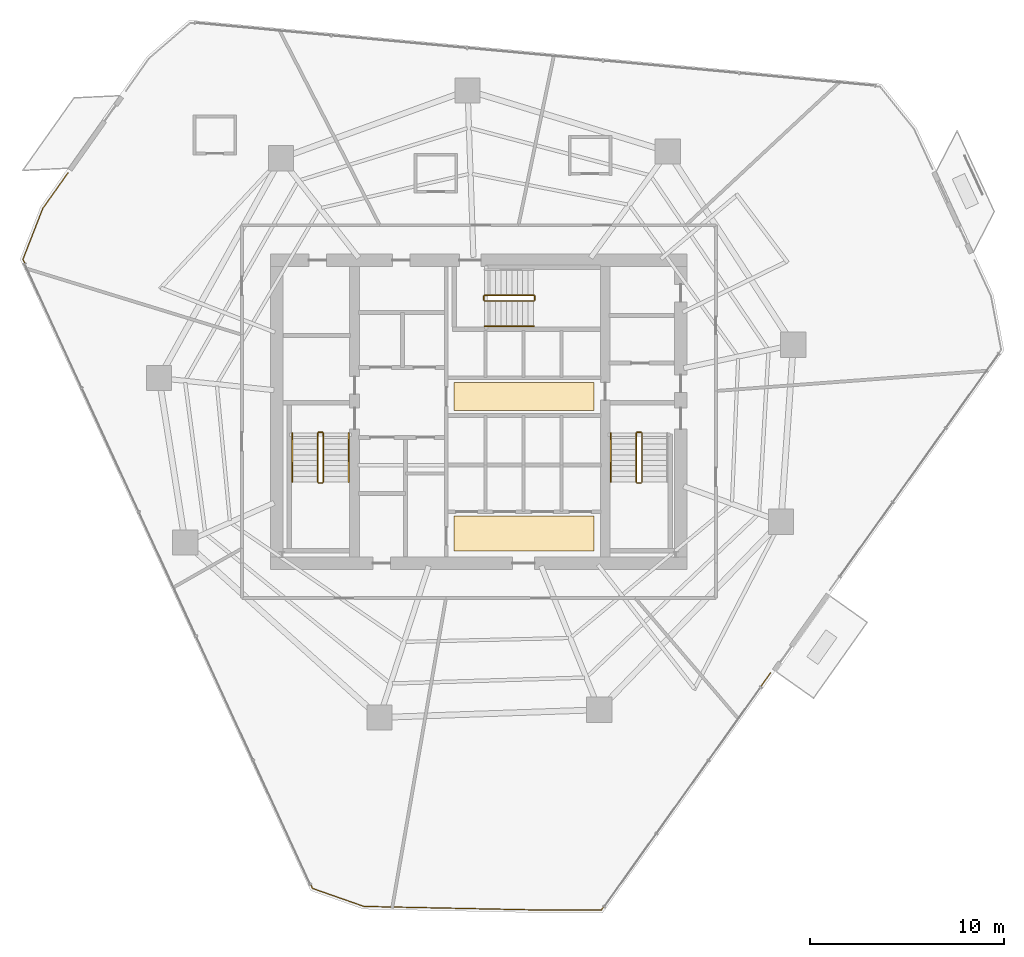
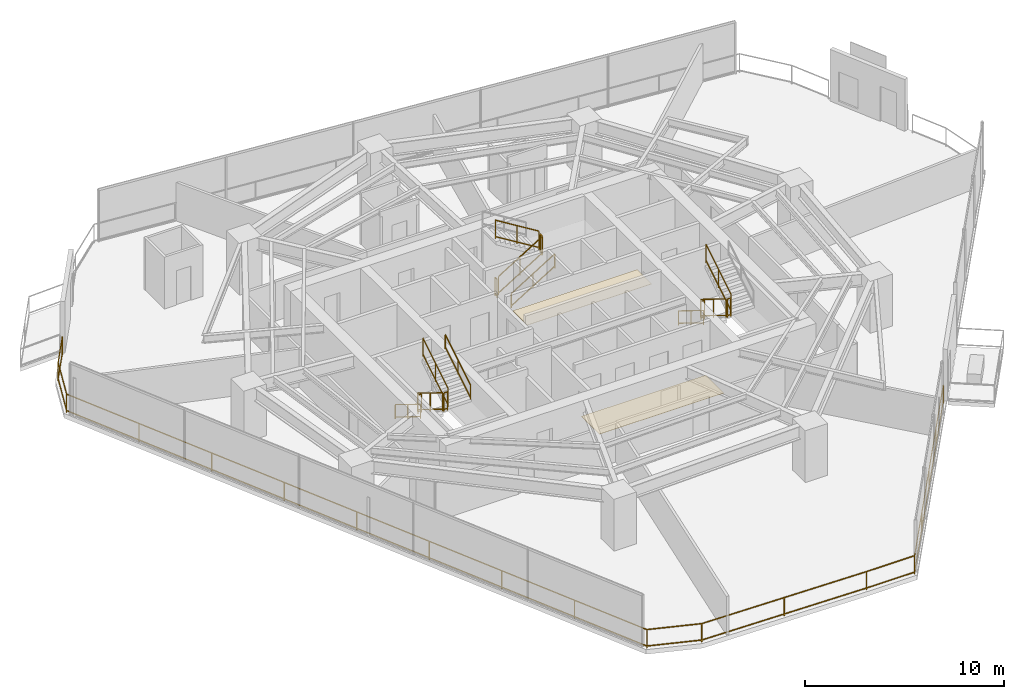
# One storey, part 29 of 30: 17 railings, 2 coverings.
"""IFC4 building model written with IfcOpenShell, lengths in metres."""

from ifc_helpers import new_model, si_unit, direction, frame, origin, origin_2d, place, context, subcontext, project, spatial, rectangle, extrude, material, layer, layer_set, type_object, element, save


model = new_model("IFC4")

# Units and contexts
model_context = context("Model", 3, precision=1e-05, world=origin(), true_north=direction((0.0, 1.0)))
body_context = subcontext(model_context, "Body", "Model", "MODEL_VIEW")
ifc_project = project(units=[si_unit("LENGTHUNIT", "METRE"), si_unit("AREAUNIT", "SQUARE_METRE"), si_unit("VOLUMEUNIT", "CUBIC_METRE"), si_unit("PLANEANGLEUNIT", "RADIAN"), si_unit("MASSUNIT", "GRAM", prefix="KILO")], contexts=[model_context])

# Site, building, storey
site_placement = place(None, origin())
site = spatial("IfcSite", under=ifc_project, at=site_placement, CompositionType="ELEMENT")
building_placement = place(site_placement, origin())
building = spatial("IfcBuilding", under=site, at=building_placement, Name="Qarnah Convention Tower", CompositionType="ELEMENT")
storey_placement = place(building_placement, frame((0.0, 0.0, 47.699951171875)))
storey = spatial("IfcBuildingStorey", under=building, at=storey_placement, Name="L11", CompositionType="ELEMENT", Elevation=47.699951171875)

# Coverings
ifc_material_1 = material(Name="Mineral fibre acoustic ceiling")
ifc_layer_1 = layer(ifc_material_1, 0.02001953125)
ifc_layer_set_1 = layer_set([ifc_layer_1], Name="Mineral fibre acoustic ceiling")
covering_type_1 = type_object("IfcCoveringType", Name="COV-CEIL-20", PredefinedType="CEILING", material=ifc_layer_set_1)
covering_1_placement = place(storey_placement, frame((39.52001953125, 27.179931640625, 2.2900390625), z_axis=(0.0, 0.0, 1.0), x_axis=(1.0, 0.0, 0.0)))
element("IfcCovering", 1, at=covering_1_placement, inside=storey, type_object=covering_type_1, Name="L11 lift lobby acoustic ceiling", PredefinedType="CEILING", context=body_context, shape_type="SweptSolid", body=[
    extrude(rectangle(XDim=7.199951171875, YDim=1.449951171875, at=origin_2d()), origin(), (0.0, 0.0, 1.0), 0.02001953125),
])
ifc_material_2 = material(Name="Porcelain stone floor tile", Category="masonry")
ifc_layer_2 = layer(ifc_material_2, 0.02001953125)
ifc_layer_set_2 = layer_set([ifc_layer_2], Name="Porcelain stone floor tile")
covering_type_2 = type_object("IfcCoveringType", Name="COV-FLOOR-20", PredefinedType="FLOORING", material=ifc_layer_set_2)
covering_2_placement = place(storey_placement, frame((39.52001953125, 20.1201171875, 0.0), z_axis=(0.0, 0.0, 1.0), x_axis=(1.0, 0.0, 0.0)))
element("IfcCovering", 2, at=covering_2_placement, inside=storey, type_object=covering_type_2, Name="L11 lift lobby porcelain stone flooring", PredefinedType="FLOORING", context=body_context, shape_type="SweptSolid", body=[
    extrude(rectangle(XDim=7.199951171875, YDim=1.800048828125, at=origin_2d()), origin(), (0.0, 0.0, 1.0), 0.02001953125),
])

# Railings
ifc_material_3 = material(Name="Black anodised aluminium", Category="aluminium")
railing_type_1 = type_object("IfcRailingType", Name="RL-EXT-GUARD-1150", PredefinedType="GUARDRAIL", material=ifc_material_3)
railing_1_placement = place(storey_placement, frame((52.2099609375, 12.945068359375, 0.0)))
element("IfcRailing", 3, at=railing_1_placement, inside=storey, type_object=railing_type_1, Name="L11 slab-edge perimeter safety guard 03", PredefinedType="GUARDRAIL", context=body_context, shape_type="SweptSolid", body=[
    extrude(rectangle(XDim=0.048095703125, YDim=0.048095703125, at=origin_2d()), frame((0.0, 0.0, 1.1259765625), z_axis=(-0.580800655117, -0.814045821201, 0.0), x_axis=(0.814045821201, -0.580800655117, 0.0)), (0.0, 0.0, 1.0), 14.9931640625),
    extrude(rectangle(XDim=0.048095703125, YDim=0.048095703125, at=origin_2d()), frame((0.0, 0.0, 0.1201171875), z_axis=(-0.580800655117, -0.814045821201, 0.0), x_axis=(0.814045821201, -0.580800655117, 0.0)), (0.0, 0.0, 1.0), 14.9931640625),
    extrude(rectangle(XDim=0.048095703125, YDim=0.048095703125, at=origin_2d()), frame((-8.7080078125, -12.205078125, 1.1259765625), z_axis=(-1.0, 0.0, 0.0), x_axis=(0.0, -1.0, 0.0)), (0.0, 0.0, 1.0), 2.77783203125),
    extrude(rectangle(XDim=0.048095703125, YDim=0.048095703125, at=origin_2d()), frame((-8.7080078125, -12.205078125, 0.1201171875), z_axis=(-1.0, 0.0, 0.0), x_axis=(0.0, -1.0, 0.0)), (0.0, 0.0, 1.0), 2.77783203125),
    extrude(rectangle(XDim=0.048095703125, YDim=0.048095703125, at=origin_2d()), frame((-11.48583984375, -12.205078125, 1.1259765625), z_axis=(-0.999790686271, 0.020459316832, 0.0), x_axis=(-0.020459316832, -0.999790686271, 0.0)), (0.0, 0.0, 1.0), 9.43896484375),
    extrude(rectangle(XDim=0.048095703125, YDim=0.048095703125, at=origin_2d()), frame((-11.48583984375, -12.205078125, 0.1201171875), z_axis=(-0.999790686271, 0.020459316832, 0.0), x_axis=(-0.020459316832, -0.999790686271, 0.0)), (0.0, 0.0, 1.0), 9.43896484375),
    extrude(rectangle(XDim=0.048095703125, YDim=0.048095703125, at=origin_2d()), frame((-20.9228515625, -12.011962890625, 1.1259765625), z_axis=(-0.944002206746, 0.329939136294, 0.0), x_axis=(-0.329939136294, -0.944002206746, 0.0)), (0.0, 0.0, 1.0), 2.802978515625),
    extrude(rectangle(XDim=0.048095703125, YDim=0.048095703125, at=origin_2d()), frame((-20.9228515625, -12.011962890625, 0.1201171875), z_axis=(-0.944002206746, 0.329939136294, 0.0), x_axis=(-0.329939136294, -0.944002206746, 0.0)), (0.0, 0.0, 1.0), 2.802978515625),
    extrude(rectangle(XDim=0.048095703125, YDim=0.048095703125, at=origin_2d()), frame((-23.56884765625, -11.087158203125, 1.1259765625), z_axis=(-0.418185132167, 0.90836181956, 0.0), x_axis=(-0.90836181956, -0.418185132167, 0.0)), (0.0, 0.0, 1.0), 35.652099609375),
    extrude(rectangle(XDim=0.048095703125, YDim=0.048095703125, at=origin_2d()), frame((-23.56884765625, -11.087158203125, 0.1201171875), z_axis=(-0.418185132167, 0.90836181956, 0.0), x_axis=(-0.90836181956, -0.418185132167, 0.0)), (0.0, 0.0, 1.0), 35.652099609375),
    extrude(rectangle(XDim=0.048095703125, YDim=0.048095703125, at=origin_2d()), frame((-38.47802734375, 21.2978515625, 1.1259765625), z_axis=(0.362979164386, 0.931797255964, 0.0), x_axis=(-0.931797255964, 0.362979164386, 0.0)), (0.0, 0.0, 1.0), 2.807373046875),
    extrude(rectangle(XDim=0.048095703125, YDim=0.048095703125, at=origin_2d()), frame((-38.47802734375, 21.2978515625, 0.1201171875), z_axis=(0.362979164386, 0.931797255964, 0.0), x_axis=(-0.931797255964, 0.362979164386, 0.0)), (0.0, 0.0, 1.0), 2.807373046875),
    extrude(rectangle(XDim=0.048095703125, YDim=0.048095703125, at=origin_2d()), frame((-37.458984375, 23.913818359375, 1.1259765625), z_axis=(0.577654455538, 0.816281403682, 0.0), x_axis=(-0.816281403682, 0.577654455538, 0.0)), (0.0, 0.0, 1.0), 2.259033203125),
    extrude(rectangle(XDim=0.048095703125, YDim=0.048095703125, at=origin_2d()), frame((-37.458984375, 23.913818359375, 0.1201171875), z_axis=(0.577654455538, 0.816281403682, 0.0), x_axis=(-0.816281403682, 0.577654455538, 0.0)), (0.0, 0.0, 1.0), 2.259033203125),
    extrude(rectangle(XDim=0.0419921875, YDim=0.0419921875, at=origin_2d()), origin(), (0.0, 0.0, 1.0), 1.101806640625),
    extrude(rectangle(XDim=0.0419921875, YDim=0.0419921875, at=origin_2d()), frame((-2.177001953125, -3.05126953125, 0.0)), (0.0, 0.0, 1.0), 1.101806640625),
    extrude(rectangle(XDim=0.0419921875, YDim=0.0419921875, at=origin_2d()), frame((-4.35400390625, -6.1025390625, 0.0)), (0.0, 0.0, 1.0), 1.101806640625),
    extrude(rectangle(XDim=0.0419921875, YDim=0.0419921875, at=origin_2d()), frame((-6.531005859375, -9.15380859375, 0.0)), (0.0, 0.0, 1.0), 1.101806640625),
    extrude(rectangle(XDim=0.0419921875, YDim=0.0419921875, at=origin_2d()), frame((-8.7080078125, -12.205078125, 0.0)), (0.0, 0.0, 1.0), 1.101806640625),
    extrude(rectangle(XDim=0.0419921875, YDim=0.0419921875, at=origin_2d()), frame((-11.48583984375, -12.205078125, 0.0)), (0.0, 0.0, 1.0), 1.101806640625),
    extrude(rectangle(XDim=0.0419921875, YDim=0.0419921875, at=origin_2d()), frame((-16.204345703125, -12.1083984375, 0.0)), (0.0, 0.0, 1.0), 1.101806640625),
    extrude(rectangle(XDim=0.0419921875, YDim=0.0419921875, at=origin_2d()), frame((-20.9228515625, -12.011962890625, 0.0)), (0.0, 0.0, 1.0), 1.101806640625),
    extrude(rectangle(XDim=0.0419921875, YDim=0.0419921875, at=origin_2d()), frame((-23.56884765625, -11.087158203125, 0.0)), (0.0, 0.0, 1.0), 1.101806640625),
    extrude(rectangle(XDim=0.0419921875, YDim=0.0419921875, at=origin_2d()), frame((-25.4326171875, -7.0390625, 0.0)), (0.0, 0.0, 1.0), 1.101806640625),
    extrude(rectangle(XDim=0.0419921875, YDim=0.0419921875, at=origin_2d()), frame((-27.296142578125, -2.990966796875, 0.0)), (0.0, 0.0, 1.0), 1.101806640625),
    extrude(rectangle(XDim=0.0419921875, YDim=0.0419921875, at=origin_2d()), frame((-29.15966796875, 1.05712890625, 0.0)), (0.0, 0.0, 1.0), 1.101806640625),
    extrude(rectangle(XDim=0.0419921875, YDim=0.0419921875, at=origin_2d()), frame((-31.0234375, 5.10546875, 0.0)), (0.0, 0.0, 1.0), 1.101806640625),
    extrude(rectangle(XDim=0.0419921875, YDim=0.0419921875, at=origin_2d()), frame((-32.88720703125, 9.153564453125, 0.0)), (0.0, 0.0, 1.0), 1.101806640625),
    extrude(rectangle(XDim=0.0419921875, YDim=0.0419921875, at=origin_2d()), frame((-34.750732421875, 13.20166015625, 0.0)), (0.0, 0.0, 1.0), 1.101806640625),
    extrude(rectangle(XDim=0.0419921875, YDim=0.0419921875, at=origin_2d()), frame((-36.6142578125, 17.249755859375, 0.0)), (0.0, 0.0, 1.0), 1.101806640625),
    extrude(rectangle(XDim=0.0419921875, YDim=0.0419921875, at=origin_2d()), frame((-38.47802734375, 21.2978515625, 0.0)), (0.0, 0.0, 1.0), 1.101806640625),
    extrude(rectangle(XDim=0.0419921875, YDim=0.0419921875, at=origin_2d()), frame((-37.458984375, 23.913818359375, 0.0)), (0.0, 0.0, 1.0), 1.101806640625),
    extrude(rectangle(XDim=0.0419921875, YDim=0.0419921875, at=origin_2d()), frame((-36.154052734375, 25.7578125, 0.0)), (0.0, 0.0, 1.0), 1.101806640625),
])
ifc_material_4 = material(Name="Structural steel S355JR", Category="steel")
railing_type_2 = type_object("IfcRailingType", Name="RL-STAIR-GUARD-1150", PredefinedType="GUARDRAIL", material=ifc_material_4)
railing_2_placement = place(storey_placement, frame((28.89990234375, 25.300048828125, 0.172607421875)))
element("IfcRailing", 4, at=railing_2_placement, inside=storey, type_object=railing_type_2, Name="L11 ST-1 stair guard 1", PredefinedType="GUARDRAIL", context=body_context, shape_type="SweptSolid", body=[
    extrude(rectangle(XDim=0.048095703125, YDim=0.048095703125, at=origin_2d()), frame((0.0, 0.0, 1.1259765625), z_axis=(0.0, -0.851400495292, 0.524516154772), x_axis=(1.0, 0.0, 0.0)), (0.0, 0.0, 1.0), 2.9599609375),
    extrude(rectangle(XDim=0.048095703125, YDim=0.048095703125, at=origin_2d()), frame((0.0, 0.0, 0.1201171875), z_axis=(0.0, -0.851400495292, 0.524516154772), x_axis=(1.0, 0.0, 0.0)), (0.0, 0.0, 1.0), 2.9599609375),
    extrude(rectangle(XDim=0.0419921875, YDim=0.0419921875, at=origin_2d()), origin(), (0.0, 0.0, 1.0), 1.101806640625),
    extrude(rectangle(XDim=0.0419921875, YDim=0.0419921875, at=origin_2d()), frame((0.0, -1.260009765625, 0.7763671875)), (0.0, 0.0, 1.0), 1.101806640625),
    extrude(rectangle(XDim=0.0419921875, YDim=0.0419921875, at=origin_2d()), frame((0.0, -2.52001953125, 1.552490234375)), (0.0, 0.0, 1.0), 1.101806640625),
])
railing_3_placement = place(storey_placement, frame((28.949951171875, 22.72998046875, 1.72509765625)))
element("IfcRailing", 5, at=railing_3_placement, inside=storey, type_object=railing_type_2, Name="L11 ST-1 stair guard 2", PredefinedType="GUARDRAIL", context=body_context, shape_type="SweptSolid", body=[
    extrude(rectangle(XDim=0.048095703125, YDim=0.048095703125, at=origin_2d()), frame((0.0, 0.0, 1.1259765625), z_axis=(1.0, 0.0, 0.0), x_axis=(0.0, 1.0, 0.0)), (0.0, 0.0, 1.0), 0.199951171875),
    extrude(rectangle(XDim=0.048095703125, YDim=0.048095703125, at=origin_2d()), frame((0.0, 0.0, 0.1201171875), z_axis=(1.0, 0.0, 0.0), x_axis=(0.0, 1.0, 0.0)), (0.0, 0.0, 1.0), 0.199951171875),
    extrude(rectangle(XDim=0.0419921875, YDim=0.0419921875, at=origin_2d()), origin(), (0.0, 0.0, 1.0), 1.101806640625),
    extrude(rectangle(XDim=0.0419921875, YDim=0.0419921875, at=origin_2d()), frame((0.199951171875, 0.0, 0.0)), (0.0, 0.0, 1.0), 1.101806640625),
])
railing_4_placement = place(storey_placement, frame((29.199951171875, 22.780029296875, 1.8974609375)))
element("IfcRailing", 6, at=railing_4_placement, inside=storey, type_object=railing_type_2, Name="L11 ST-1 stair guard 3", PredefinedType="GUARDRAIL", context=body_context, shape_type="SweptSolid", body=[
    extrude(rectangle(XDim=0.048095703125, YDim=0.048095703125, at=origin_2d()), frame((0.0, 0.0, 1.1259765625), z_axis=(0.0, 0.851400495292, 0.524516154772), x_axis=(-1.0, 0.0, 0.0)), (0.0, 0.0, 1.0), 2.9599609375),
    extrude(rectangle(XDim=0.048095703125, YDim=0.048095703125, at=origin_2d()), frame((0.0, 0.0, 0.1201171875), z_axis=(0.0, 0.851400495292, 0.524516154772), x_axis=(-1.0, 0.0, 0.0)), (0.0, 0.0, 1.0), 2.9599609375),
    extrude(rectangle(XDim=0.0419921875, YDim=0.0419921875, at=origin_2d()), origin(), (0.0, 0.0, 1.0), 1.101806640625),
    extrude(rectangle(XDim=0.0419921875, YDim=0.0419921875, at=origin_2d()), frame((0.0, 1.260009765625, 0.7763671875)), (0.0, 0.0, 1.0), 1.101806640625),
    extrude(rectangle(XDim=0.0419921875, YDim=0.0419921875, at=origin_2d()), frame((0.0, 2.52001953125, 1.552490234375)), (0.0, 0.0, 1.0), 1.101806640625),
])
railing_5_placement = place(storey_placement, frame((28.949951171875, 25.35009765625, 0.0)))
element("IfcRailing", 7, at=railing_5_placement, inside=storey, type_object=railing_type_2, Name="L11 ST-1 stair guard 4", PredefinedType="GUARDRAIL", context=body_context, shape_type="SweptSolid", body=[
    extrude(rectangle(XDim=0.048095703125, YDim=0.048095703125, at=origin_2d()), frame((0.0, 0.0, 1.1259765625), z_axis=(1.0, 0.0, 0.0), x_axis=(0.0, 1.0, 0.0)), (0.0, 0.0, 1.0), 0.199951171875),
    extrude(rectangle(XDim=0.048095703125, YDim=0.048095703125, at=origin_2d()), frame((0.0, 0.0, 0.1201171875), z_axis=(1.0, 0.0, 0.0), x_axis=(0.0, 1.0, 0.0)), (0.0, 0.0, 1.0), 0.199951171875),
    extrude(rectangle(XDim=0.0419921875, YDim=0.0419921875, at=origin_2d()), origin(), (0.0, 0.0, 1.0), 1.101806640625),
    extrude(rectangle(XDim=0.0419921875, YDim=0.0419921875, at=origin_2d()), frame((0.199951171875, 0.0, 0.0)), (0.0, 0.0, 1.0), 1.101806640625),
])
railing_6_placement = place(storey_placement, frame((45.300048828125, 25.300048828125, 0.172607421875)))
element("IfcRailing", 8, at=railing_6_placement, inside=storey, type_object=railing_type_2, Name="L11 ST-2 stair guard 1", PredefinedType="GUARDRAIL", context=body_context, shape_type="SweptSolid", body=[
    extrude(rectangle(XDim=0.048095703125, YDim=0.048095703125, at=origin_2d()), frame((0.0, 0.0, 1.1259765625), z_axis=(0.0, -0.851400495292, 0.524516154772), x_axis=(1.0, 0.0, 0.0)), (0.0, 0.0, 1.0), 2.9599609375),
    extrude(rectangle(XDim=0.048095703125, YDim=0.048095703125, at=origin_2d()), frame((0.0, 0.0, 0.1201171875), z_axis=(0.0, -0.851400495292, 0.524516154772), x_axis=(1.0, 0.0, 0.0)), (0.0, 0.0, 1.0), 2.9599609375),
    extrude(rectangle(XDim=0.0419921875, YDim=0.0419921875, at=origin_2d()), origin(), (0.0, 0.0, 1.0), 1.101806640625),
    extrude(rectangle(XDim=0.0419921875, YDim=0.0419921875, at=origin_2d()), frame((0.0, -1.260009765625, 0.7763671875)), (0.0, 0.0, 1.0), 1.101806640625),
    extrude(rectangle(XDim=0.0419921875, YDim=0.0419921875, at=origin_2d()), frame((0.0, -2.52001953125, 1.552490234375)), (0.0, 0.0, 1.0), 1.101806640625),
])
railing_7_placement = place(storey_placement, frame((45.35009765625, 22.72998046875, 1.72509765625)))
element("IfcRailing", 9, at=railing_7_placement, inside=storey, type_object=railing_type_2, Name="L11 ST-2 stair guard 2", PredefinedType="GUARDRAIL", context=body_context, shape_type="SweptSolid", body=[
    extrude(rectangle(XDim=0.048095703125, YDim=0.048095703125, at=origin_2d()), frame((0.0, 0.0, 1.1259765625), z_axis=(1.0, 0.0, 0.0), x_axis=(0.0, 1.0, 0.0)), (0.0, 0.0, 1.0), 0.199951171875),
    extrude(rectangle(XDim=0.048095703125, YDim=0.048095703125, at=origin_2d()), frame((0.0, 0.0, 0.1201171875), z_axis=(1.0, 0.0, 0.0), x_axis=(0.0, 1.0, 0.0)), (0.0, 0.0, 1.0), 0.199951171875),
    extrude(rectangle(XDim=0.0419921875, YDim=0.0419921875, at=origin_2d()), origin(), (0.0, 0.0, 1.0), 1.101806640625),
    extrude(rectangle(XDim=0.0419921875, YDim=0.0419921875, at=origin_2d()), frame((0.199951171875, 0.0, 0.0)), (0.0, 0.0, 1.0), 1.101806640625),
])
railing_8_placement = place(storey_placement, frame((45.60009765625, 22.780029296875, 1.8974609375)))
element("IfcRailing", 10, at=railing_8_placement, inside=storey, type_object=railing_type_2, Name="L11 ST-2 stair guard 3", PredefinedType="GUARDRAIL", context=body_context, shape_type="SweptSolid", body=[
    extrude(rectangle(XDim=0.048095703125, YDim=0.048095703125, at=origin_2d()), frame((0.0, 0.0, 1.1259765625), z_axis=(0.0, 0.851400495292, 0.524516154772), x_axis=(-1.0, 0.0, 0.0)), (0.0, 0.0, 1.0), 2.9599609375),
    extrude(rectangle(XDim=0.048095703125, YDim=0.048095703125, at=origin_2d()), frame((0.0, 0.0, 0.1201171875), z_axis=(0.0, 0.851400495292, 0.524516154772), x_axis=(-1.0, 0.0, 0.0)), (0.0, 0.0, 1.0), 2.9599609375),
    extrude(rectangle(XDim=0.0419921875, YDim=0.0419921875, at=origin_2d()), origin(), (0.0, 0.0, 1.0), 1.101806640625),
    extrude(rectangle(XDim=0.0419921875, YDim=0.0419921875, at=origin_2d()), frame((0.0, 1.260009765625, 0.7763671875)), (0.0, 0.0, 1.0), 1.101806640625),
    extrude(rectangle(XDim=0.0419921875, YDim=0.0419921875, at=origin_2d()), frame((0.0, 2.52001953125, 1.552490234375)), (0.0, 0.0, 1.0), 1.101806640625),
])
railing_9_placement = place(storey_placement, frame((45.35009765625, 25.35009765625, 0.0)))
element("IfcRailing", 11, at=railing_9_placement, inside=storey, type_object=railing_type_2, Name="L11 ST-2 stair guard 4", PredefinedType="GUARDRAIL", context=body_context, shape_type="SweptSolid", body=[
    extrude(rectangle(XDim=0.048095703125, YDim=0.048095703125, at=origin_2d()), frame((0.0, 0.0, 1.1259765625), z_axis=(1.0, 0.0, 0.0), x_axis=(0.0, 1.0, 0.0)), (0.0, 0.0, 1.0), 0.199951171875),
    extrude(rectangle(XDim=0.048095703125, YDim=0.048095703125, at=origin_2d()), frame((0.0, 0.0, 0.1201171875), z_axis=(1.0, 0.0, 0.0), x_axis=(0.0, 1.0, 0.0)), (0.0, 0.0, 1.0), 0.199951171875),
    extrude(rectangle(XDim=0.0419921875, YDim=0.0419921875, at=origin_2d()), origin(), (0.0, 0.0, 1.0), 1.101806640625),
    extrude(rectangle(XDim=0.0419921875, YDim=0.0419921875, at=origin_2d()), frame((0.199951171875, 0.0, 0.0)), (0.0, 0.0, 1.0), 1.101806640625),
])
railing_10_placement = place(storey_placement, frame((37.5, 32.10009765625, 0.172607421875)))
element("IfcRailing", 12, at=railing_10_placement, inside=storey, type_object=railing_type_2, Name="L11 ST-3 stair guard 1", PredefinedType="GUARDRAIL", context=body_context, shape_type="SweptSolid", body=[
    extrude(rectangle(XDim=0.048095703125, YDim=0.048095703125, at=origin_2d()), frame((0.0, 0.0, 1.1259765625), z_axis=(0.851400495292, 0.0, 0.524516154772), x_axis=(0.0, 1.0, 0.0)), (0.0, 0.0, 1.0), 2.9599609375),
    extrude(rectangle(XDim=0.048095703125, YDim=0.048095703125, at=origin_2d()), frame((0.0, 0.0, 0.1201171875), z_axis=(0.851400495292, 0.0, 0.524516154772), x_axis=(0.0, 1.0, 0.0)), (0.0, 0.0, 1.0), 2.9599609375),
    extrude(rectangle(XDim=0.0419921875, YDim=0.0419921875, at=origin_2d()), origin(), (0.0, 0.0, 1.0), 1.101806640625),
    extrude(rectangle(XDim=0.0419921875, YDim=0.0419921875, at=origin_2d()), frame((1.260009765625, 0.0, 0.7763671875)), (0.0, 0.0, 1.0), 1.101806640625),
    extrude(rectangle(XDim=0.0419921875, YDim=0.0419921875, at=origin_2d()), frame((2.52001953125, 0.0, 1.552490234375)), (0.0, 0.0, 1.0), 1.101806640625),
])
railing_11_placement = place(storey_placement, frame((40.070068359375, 32.14990234375, 1.72509765625)))
element("IfcRailing", 13, at=railing_11_placement, inside=storey, type_object=railing_type_2, Name="L11 ST-3 stair guard 2", PredefinedType="GUARDRAIL", context=body_context, shape_type="SweptSolid", body=[
    extrude(rectangle(XDim=0.048095703125, YDim=0.048095703125, at=origin_2d()), frame((0.0, 0.0, 1.1259765625), z_axis=(0.0, 1.0, 0.0), x_axis=(-1.0, 0.0, 0.0)), (0.0, 0.0, 1.0), 0.2001953125),
    extrude(rectangle(XDim=0.048095703125, YDim=0.048095703125, at=origin_2d()), frame((0.0, 0.0, 0.1201171875), z_axis=(0.0, 1.0, 0.0), x_axis=(-1.0, 0.0, 0.0)), (0.0, 0.0, 1.0), 0.2001953125),
    extrude(rectangle(XDim=0.0419921875, YDim=0.0419921875, at=origin_2d()), origin(), (0.0, 0.0, 1.0), 1.101806640625),
    extrude(rectangle(XDim=0.0419921875, YDim=0.0419921875, at=origin_2d()), frame((0.0, 0.2001953125, 0.0)), (0.0, 0.0, 1.0), 1.101806640625),
])
railing_12_placement = place(storey_placement, frame((40.02001953125, 32.39990234375, 1.8974609375)))
element("IfcRailing", 14, at=railing_12_placement, inside=storey, type_object=railing_type_2, Name="L11 ST-3 stair guard 3", PredefinedType="GUARDRAIL", context=body_context, shape_type="SweptSolid", body=[
    extrude(rectangle(XDim=0.048095703125, YDim=0.048095703125, at=origin_2d()), frame((0.0, 0.0, 1.1259765625), z_axis=(-0.851400495292, 0.0, 0.524516154772), x_axis=(0.0, -1.0, 0.0)), (0.0, 0.0, 1.0), 2.9599609375),
    extrude(rectangle(XDim=0.048095703125, YDim=0.048095703125, at=origin_2d()), frame((0.0, 0.0, 0.1201171875), z_axis=(-0.851400495292, 0.0, 0.524516154772), x_axis=(0.0, -1.0, 0.0)), (0.0, 0.0, 1.0), 2.9599609375),
    extrude(rectangle(XDim=0.0419921875, YDim=0.0419921875, at=origin_2d()), origin(), (0.0, 0.0, 1.0), 1.101806640625),
    extrude(rectangle(XDim=0.0419921875, YDim=0.0419921875, at=origin_2d()), frame((-1.260009765625, 0.0, 0.7763671875)), (0.0, 0.0, 1.0), 1.101806640625),
    extrude(rectangle(XDim=0.0419921875, YDim=0.0419921875, at=origin_2d()), frame((-2.52001953125, 0.0, 1.552490234375)), (0.0, 0.0, 1.0), 1.101806640625),
])
railing_13_placement = place(storey_placement, frame((37.449951171875, 32.14990234375, 0.0)))
element("IfcRailing", 15, at=railing_13_placement, inside=storey, type_object=railing_type_2, Name="L11 ST-3 stair guard 4", PredefinedType="GUARDRAIL", context=body_context, shape_type="SweptSolid", body=[
    extrude(rectangle(XDim=0.048095703125, YDim=0.048095703125, at=origin_2d()), frame((0.0, 0.0, 1.1259765625), z_axis=(0.0, 1.0, 0.0), x_axis=(-1.0, 0.0, 0.0)), (0.0, 0.0, 1.0), 0.2001953125),
    extrude(rectangle(XDim=0.048095703125, YDim=0.048095703125, at=origin_2d()), frame((0.0, 0.0, 0.1201171875), z_axis=(0.0, 1.0, 0.0), x_axis=(-1.0, 0.0, 0.0)), (0.0, 0.0, 1.0), 0.2001953125),
    extrude(rectangle(XDim=0.0419921875, YDim=0.0419921875, at=origin_2d()), origin(), (0.0, 0.0, 1.0), 1.101806640625),
    extrude(rectangle(XDim=0.0419921875, YDim=0.0419921875, at=origin_2d()), frame((0.0, 0.2001953125, 0.0)), (0.0, 0.0, 1.0), 1.101806640625),
])
railing_type_3 = type_object("IfcRailingType", Name="RL-STAIR-HAND-900", PredefinedType="HANDRAIL", material=ifc_material_4)
railing_14_placement = place(storey_placement, frame((27.60009765625, 25.300048828125, 0.172607421875)))
element("IfcRailing", 16, at=railing_14_placement, inside=storey, type_object=railing_type_3, Name="L11 ST-1 stair handrail 1", PredefinedType="HANDRAIL", context=body_context, shape_type="SweptSolid", body=[
    extrude(rectangle(XDim=0.048095703125, YDim=0.048095703125, at=origin_2d()), frame((0.0, 0.0, 0.8759765625), z_axis=(0.0, -0.851400495292, 0.524516154772), x_axis=(1.0, 0.0, 0.0)), (0.0, 0.0, 1.0), 2.9599609375),
    extrude(rectangle(XDim=0.048095703125, YDim=0.048095703125, at=origin_2d()), frame((0.0, 0.0, 0.1201171875), z_axis=(0.0, -0.851400495292, 0.524516154772), x_axis=(1.0, 0.0, 0.0)), (0.0, 0.0, 1.0), 2.9599609375),
    extrude(rectangle(XDim=0.0419921875, YDim=0.0419921875, at=origin_2d()), origin(), (0.0, 0.0, 1.0), 0.851806640625),
    extrude(rectangle(XDim=0.0419921875, YDim=0.0419921875, at=origin_2d()), frame((0.0, -1.260009765625, 0.7763671875)), (0.0, 0.0, 1.0), 0.851806640625),
    extrude(rectangle(XDim=0.0419921875, YDim=0.0419921875, at=origin_2d()), frame((0.0, -2.52001953125, 1.552490234375)), (0.0, 0.0, 1.0), 0.851806640625),
])
railing_15_placement = place(storey_placement, frame((30.5, 22.780029296875, 1.8974609375)))
element("IfcRailing", 17, at=railing_15_placement, inside=storey, type_object=railing_type_3, Name="L11 ST-1 stair handrail 2", PredefinedType="HANDRAIL", context=body_context, shape_type="SweptSolid", body=[
    extrude(rectangle(XDim=0.048095703125, YDim=0.048095703125, at=origin_2d()), frame((0.0, 0.0, 0.8759765625), z_axis=(0.0, 0.851400495292, 0.524516154772), x_axis=(-1.0, 0.0, 0.0)), (0.0, 0.0, 1.0), 2.9599609375),
    extrude(rectangle(XDim=0.048095703125, YDim=0.048095703125, at=origin_2d()), frame((0.0, 0.0, 0.1201171875), z_axis=(0.0, 0.851400495292, 0.524516154772), x_axis=(-1.0, 0.0, 0.0)), (0.0, 0.0, 1.0), 2.9599609375),
    extrude(rectangle(XDim=0.0419921875, YDim=0.0419921875, at=origin_2d()), origin(), (0.0, 0.0, 1.0), 0.851806640625),
    extrude(rectangle(XDim=0.0419921875, YDim=0.0419921875, at=origin_2d()), frame((0.0, 1.260009765625, 0.7763671875)), (0.0, 0.0, 1.0), 0.851806640625),
    extrude(rectangle(XDim=0.0419921875, YDim=0.0419921875, at=origin_2d()), frame((0.0, 2.52001953125, 1.552490234375)), (0.0, 0.0, 1.0), 0.851806640625),
])
railing_16_placement = place(storey_placement, frame((44.0, 25.300048828125, 0.172607421875)))
element("IfcRailing", 18, at=railing_16_placement, inside=storey, type_object=railing_type_3, Name="L11 ST-2 stair handrail 1", PredefinedType="HANDRAIL", context=body_context, shape_type="SweptSolid", body=[
    extrude(rectangle(XDim=0.048095703125, YDim=0.048095703125, at=origin_2d()), frame((0.0, 0.0, 0.8759765625), z_axis=(0.0, -0.851400495292, 0.524516154772), x_axis=(1.0, 0.0, 0.0)), (0.0, 0.0, 1.0), 2.9599609375),
    extrude(rectangle(XDim=0.048095703125, YDim=0.048095703125, at=origin_2d()), frame((0.0, 0.0, 0.1201171875), z_axis=(0.0, -0.851400495292, 0.524516154772), x_axis=(1.0, 0.0, 0.0)), (0.0, 0.0, 1.0), 2.9599609375),
    extrude(rectangle(XDim=0.0419921875, YDim=0.0419921875, at=origin_2d()), origin(), (0.0, 0.0, 1.0), 0.851806640625),
    extrude(rectangle(XDim=0.0419921875, YDim=0.0419921875, at=origin_2d()), frame((0.0, -1.260009765625, 0.7763671875)), (0.0, 0.0, 1.0), 0.851806640625),
    extrude(rectangle(XDim=0.0419921875, YDim=0.0419921875, at=origin_2d()), frame((0.0, -2.52001953125, 1.552490234375)), (0.0, 0.0, 1.0), 0.851806640625),
])
railing_17_placement = place(storey_placement, frame((37.5, 30.800048828125, 0.172607421875)))
element("IfcRailing", 19, at=railing_17_placement, inside=storey, type_object=railing_type_3, Name="L11 ST-3 stair handrail 1", PredefinedType="HANDRAIL", context=body_context, shape_type="SweptSolid", body=[
    extrude(rectangle(XDim=0.048095703125, YDim=0.048095703125, at=origin_2d()), frame((0.0, 0.0, 0.8759765625), z_axis=(0.851400495292, 0.0, 0.524516154772), x_axis=(0.0, 1.0, 0.0)), (0.0, 0.0, 1.0), 2.9599609375),
    extrude(rectangle(XDim=0.048095703125, YDim=0.048095703125, at=origin_2d()), frame((0.0, 0.0, 0.1201171875), z_axis=(0.851400495292, 0.0, 0.524516154772), x_axis=(0.0, 1.0, 0.0)), (0.0, 0.0, 1.0), 2.9599609375),
    extrude(rectangle(XDim=0.0419921875, YDim=0.0419921875, at=origin_2d()), origin(), (0.0, 0.0, 1.0), 0.851806640625),
    extrude(rectangle(XDim=0.0419921875, YDim=0.0419921875, at=origin_2d()), frame((1.260009765625, 0.0, 0.7763671875)), (0.0, 0.0, 1.0), 0.851806640625),
    extrude(rectangle(XDim=0.0419921875, YDim=0.0419921875, at=origin_2d()), frame((2.52001953125, 0.0, 1.552490234375)), (0.0, 0.0, 1.0), 0.851806640625),
])

save(model, "model.ifc")
